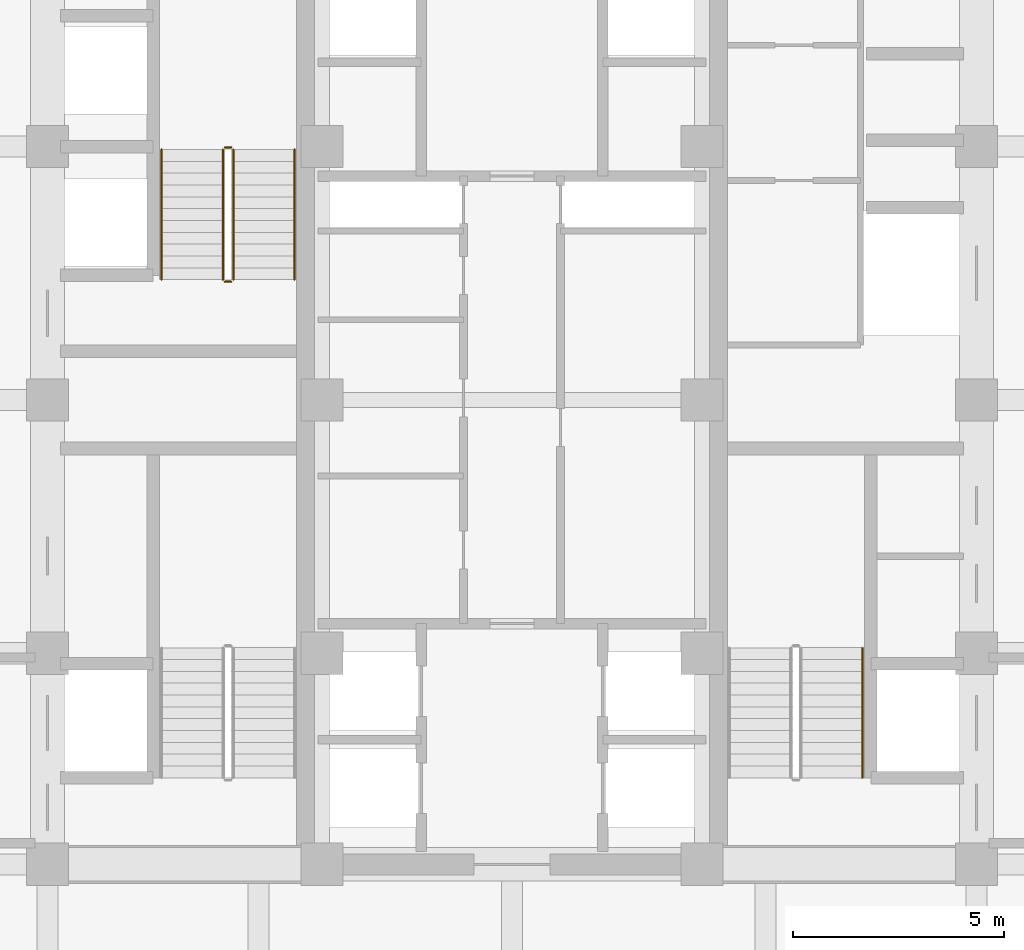
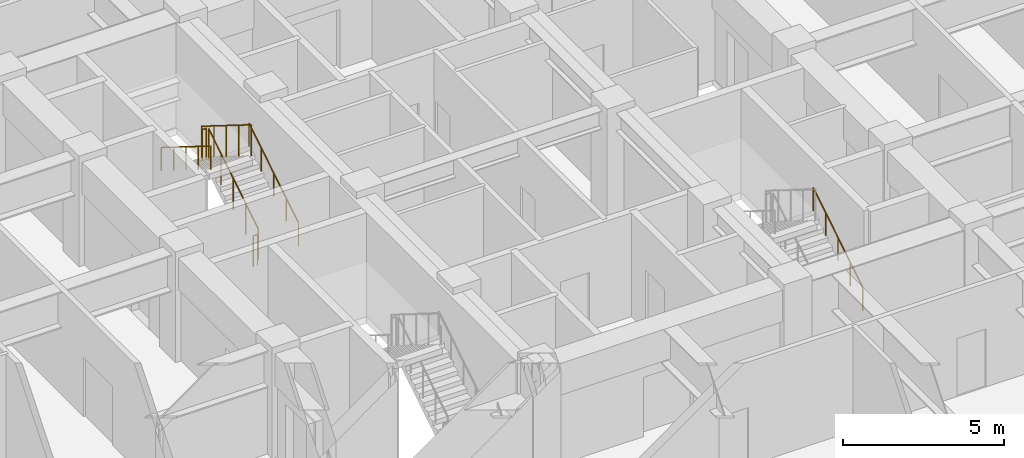
# One storey, part 29 of 29: 7 railings.
"""IFC4 building model written with IfcOpenShell, lengths in metres."""

from ifc_helpers import new_model, si_unit, direction, frame, origin, origin_2d, place, context, subcontext, project, spatial, circle, extrude, source, transform, mapped, material, type_object, element, save


model = new_model("IFC4")

# Units and contexts
model_context = context("Model", 3, precision=1e-05, world=origin(), true_north=direction((0.0, 1.0)))
body_context = subcontext(model_context, "Body", "Model", "MODEL_VIEW")
ifc_project = project(units=[si_unit("LENGTHUNIT", "METRE"), si_unit("AREAUNIT", "SQUARE_METRE"), si_unit("VOLUMEUNIT", "CUBIC_METRE"), si_unit("PLANEANGLEUNIT", "RADIAN"), si_unit("MASSUNIT", "GRAM", prefix="KILO")], contexts=[model_context])

# Site, building, storey
site_placement = place(None, origin())
site = spatial("IfcSite", under=ifc_project, at=site_placement, CompositionType="ELEMENT")
building_placement = place(site_placement, origin())
building = spatial("IfcBuilding", under=site, at=building_placement, Name="Khorayat Bourse Tower", CompositionType="ELEMENT")
storey_placement = place(building_placement, frame((0.0, 0.0, 87.199951171875)))
storey = spatial("IfcBuildingStorey", under=building, at=storey_placement, Name="L19", CompositionType="ELEMENT", Elevation=87.199951171875)

# Railings
ifc_material_1 = material(Name="Powder-coated steel balustrade", Category="steel")
railing_type_1 = type_object("IfcRailingType", Name="RLG-GUARD-1200", PredefinedType="GUARDRAIL", material=ifc_material_1)
shared_shape_1 = source(origin(), body_context, "Body", "SweptSolid", [
    extrude(circle(Radius=0.02392578125, at=origin_2d()), frame((0.0, 0.0, 1.17578125), z_axis=(-1.0, 0.0, 0.0), x_axis=(0.0, -1.0, 0.0)), (0.0, 0.0, 1.0), 0.150146484375),
    extrude(circle(Radius=0.02099609375, at=origin_2d()), origin(), (0.0, 0.0, 1.0), 1.15185546875),
    extrude(circle(Radius=0.02099609375, at=origin_2d()), frame((-0.150146484375, 0.0, 0.0)), (0.0, 0.0, 1.0), 1.15185546875),
])
for number, where, name in (
    (1, (-6.64990234375, 5.97998046875, 2.10009765625), "L19 ST-2 stair guard 2"),
    (2, (-6.64990234375, 2.800048828125, 0.0), "L19 ST-2 stair guard 4"),
):
    element("IfcRailing", number, at=place(storey_placement, frame(where)), inside=storey, type_object=railing_type_1, Name=name, PredefinedType="GUARDRAIL", context=body_context, shape_type="MappedRepresentation", body=[
        mapped(shared_shape_1, transform((0.0, 0.0, 0.0), scale=1.0)),
    ])
shared_shape_2 = source(origin(), body_context, "Body", "SweptSolid", [
    extrude(circle(Radius=0.02392578125, at=origin_2d()), frame((0.0, 0.0, 1.17578125), z_axis=(0.0, 0.847979421464, 0.530029150871), x_axis=(-1.0, 0.0, 0.0)), (0.0, 0.0, 1.0), 3.632080078125),
    extrude(circle(Radius=0.02099609375, at=origin_2d()), origin(), (0.0, 0.0, 1.0), 1.15185546875),
    extrude(circle(Radius=0.02099609375, at=origin_2d()), frame((0.0, 0.77001953125, 0.481201171875)), (0.0, 0.0, 1.0), 1.15185546875),
    extrude(circle(Radius=0.02099609375, at=origin_2d()), frame((0.0, 1.5400390625, 0.96240234375)), (0.0, 0.0, 1.0), 1.15185546875),
    extrude(circle(Radius=0.02099609375, at=origin_2d()), frame((0.0, 2.309814453125, 1.44384765625)), (0.0, 0.0, 1.0), 1.15185546875),
    extrude(circle(Radius=0.02099609375, at=origin_2d()), frame((0.0, 3.079833984375, 1.925048828125)), (0.0, 0.0, 1.0), 1.15185546875),
])
railing_1_placement = place(storey_placement, frame((-6.60009765625, 2.85009765625, 0.175048828125)))
element("IfcRailing", 3, at=railing_1_placement, inside=storey, type_object=railing_type_1, Name="L19 ST-2 stair guard 1", PredefinedType="GUARDRAIL", context=body_context, shape_type="MappedRepresentation", body=[
    mapped(shared_shape_2, transform((0.0, 0.0, 0.0), scale=1.0)),
])
ifc_material_2 = material(Name="Brushed bronze stainless-steel handrail", Category="steel")
railing_type_2 = type_object("IfcRailingType", Name="RLG-HAND-900", PredefinedType="HANDRAIL", material=ifc_material_2)
shared_shape_3 = source(origin(), body_context, "Body", "SweptSolid", [
    extrude(circle(Radius=0.02392578125, at=origin_2d()), frame((0.0, 0.0, 0.8759765625), z_axis=(0.0, 0.847979421464, 0.530029150871), x_axis=(-1.0, 0.0, 0.0)), (0.0, 0.0, 1.0), 3.632080078125),
    extrude(circle(Radius=0.02099609375, at=origin_2d()), origin(), (0.0, 0.0, 1.0), 0.851806640625),
    extrude(circle(Radius=0.02099609375, at=origin_2d()), frame((0.0, 0.77001953125, 0.481201171875)), (0.0, 0.0, 1.0), 0.851806640625),
    extrude(circle(Radius=0.02099609375, at=origin_2d()), frame((0.0, 1.5400390625, 0.96240234375)), (0.0, 0.0, 1.0), 0.851806640625),
    extrude(circle(Radius=0.02099609375, at=origin_2d()), frame((0.0, 2.309814453125, 1.44384765625)), (0.0, 0.0, 1.0), 0.851806640625),
    extrude(circle(Radius=0.02099609375, at=origin_2d()), frame((0.0, 3.079833984375, 1.925048828125)), (0.0, 0.0, 1.0), 0.851806640625),
])
for number, where, name in (
    (4, (-5.14990234375, 2.85009765625, 0.175048828125), "L19 ST-2 stair handrail 1"),
    (5, (8.300048828125, -8.949951171875, 0.175048828125), "L19 ST-3 stair handrail 1"),
):
    element("IfcRailing", number, at=place(storey_placement, frame(where)), inside=storey, type_object=railing_type_2, Name=name, PredefinedType="HANDRAIL", context=body_context, shape_type="MappedRepresentation", body=[
        mapped(shared_shape_3, transform((0.0, 0.0, 0.0), scale=1.0)),
    ])
shared_shape_4 = source(origin(), body_context, "Body", "SweptSolid", [
    extrude(circle(Radius=0.02392578125, at=origin_2d()), frame((0.0, 0.0, 1.17578125), z_axis=(0.0, -0.848009633417, 0.529980812513), x_axis=(1.0, 0.0, 0.0)), (0.0, 0.0, 1.0), 3.6318359375),
    extrude(circle(Radius=0.02099609375, at=origin_2d()), origin(), (0.0, 0.0, 1.0), 1.15185546875),
    extrude(circle(Radius=0.02099609375, at=origin_2d()), frame((0.0, -0.77001953125, 0.481201171875)), (0.0, 0.0, 1.0), 1.15185546875),
    extrude(circle(Radius=0.02099609375, at=origin_2d()), frame((0.0, -1.5400390625, 0.96240234375)), (0.0, 0.0, 1.0), 1.15185546875),
    extrude(circle(Radius=0.02099609375, at=origin_2d()), frame((0.0, -2.309814453125, 1.443603515625)), (0.0, 0.0, 1.0), 1.15185546875),
    extrude(circle(Radius=0.02099609375, at=origin_2d()), frame((0.0, -3.079833984375, 1.9248046875)), (0.0, 0.0, 1.0), 1.15185546875),
])
railing_2_placement = place(storey_placement, frame((-6.85009765625, 5.929931640625, 2.275146484375)))
element("IfcRailing", 6, at=railing_2_placement, inside=storey, type_object=railing_type_1, Name="L19 ST-2 stair guard 3", PredefinedType="GUARDRAIL", context=body_context, shape_type="MappedRepresentation", body=[
    mapped(shared_shape_4, transform((0.0, 0.0, 0.0), scale=1.0)),
])
shared_shape_5 = source(origin(), body_context, "Body", "SweptSolid", [
    extrude(circle(Radius=0.02392578125, at=origin_2d()), frame((0.0, 0.0, 0.8759765625), z_axis=(0.0, -0.848009633417, 0.529980812513), x_axis=(1.0, 0.0, 0.0)), (0.0, 0.0, 1.0), 3.6318359375),
    extrude(circle(Radius=0.02099609375, at=origin_2d()), origin(), (0.0, 0.0, 1.0), 0.851806640625),
    extrude(circle(Radius=0.02099609375, at=origin_2d()), frame((0.0, -0.77001953125, 0.481201171875)), (0.0, 0.0, 1.0), 0.851806640625),
    extrude(circle(Radius=0.02099609375, at=origin_2d()), frame((0.0, -1.5400390625, 0.96240234375)), (0.0, 0.0, 1.0), 0.851806640625),
    extrude(circle(Radius=0.02099609375, at=origin_2d()), frame((0.0, -2.309814453125, 1.443603515625)), (0.0, 0.0, 1.0), 0.851806640625),
    extrude(circle(Radius=0.02099609375, at=origin_2d()), frame((0.0, -3.079833984375, 1.9248046875)), (0.0, 0.0, 1.0), 0.851806640625),
])
railing_3_placement = place(storey_placement, frame((-8.300048828125, 5.929931640625, 2.275146484375)))
element("IfcRailing", 7, at=railing_3_placement, inside=storey, type_object=railing_type_2, Name="L19 ST-2 stair handrail 2", PredefinedType="HANDRAIL", context=body_context, shape_type="MappedRepresentation", body=[
    mapped(shared_shape_5, transform((0.0, 0.0, 0.0), scale=1.0)),
])

save(model, "model.ifc")
